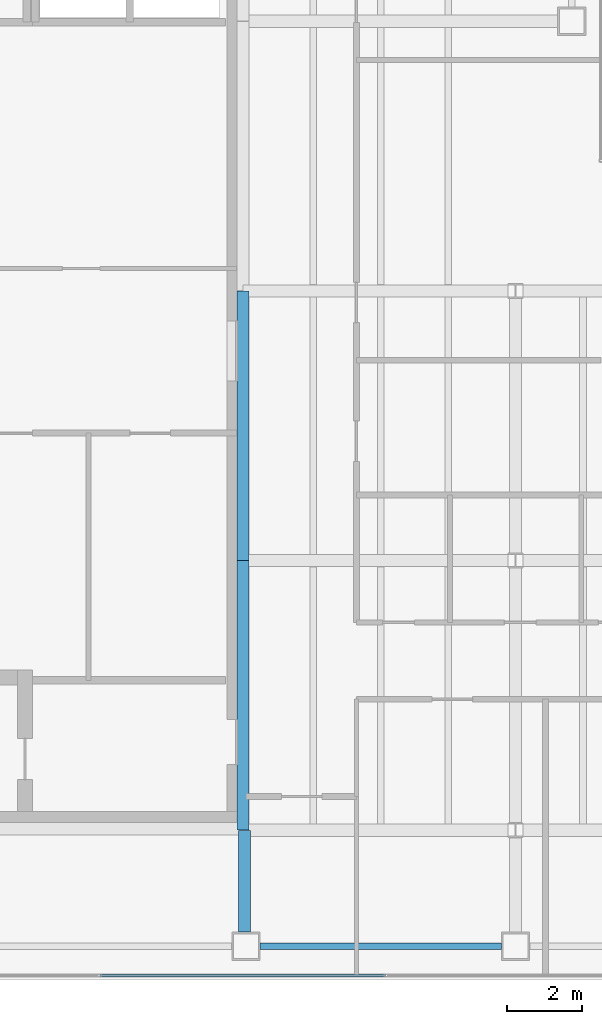
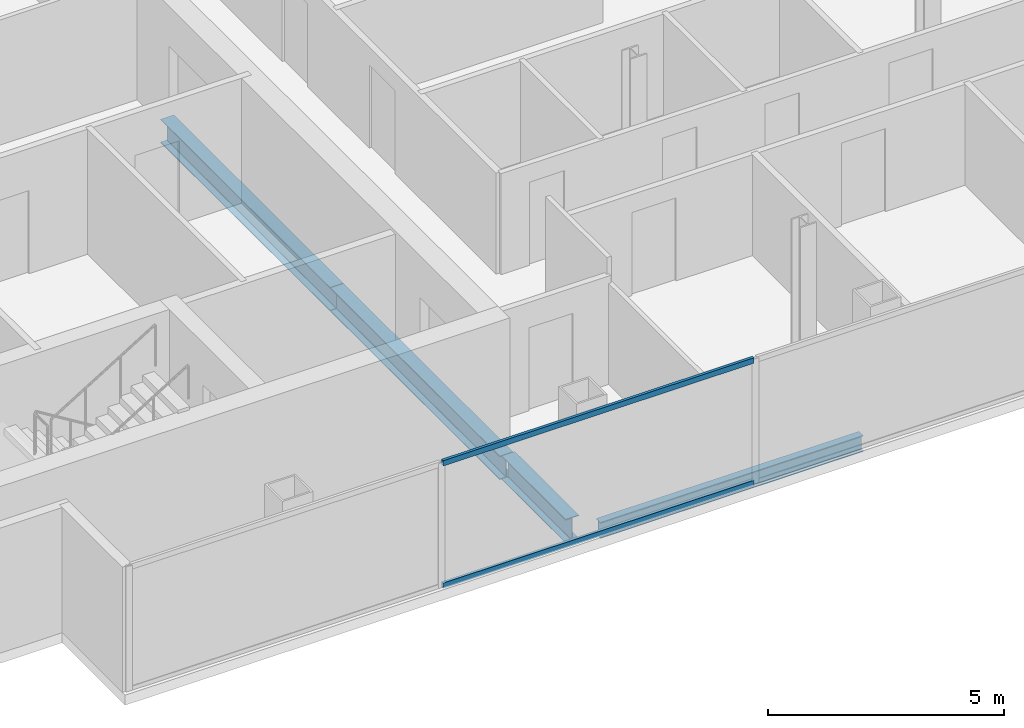
# One storey, part 3 of 23: 4 beams, 2 members, 1 element without a shape of its own.
"""IFC4 building model written with IfcOpenShell, lengths in metres."""

from ifc_helpers import new_model, si_unit, direction, frame, origin, origin_2d, place, context, subcontext, project, spatial, hollow_rectangle, i_section, extrude, material, material_profile, profile_set, type_object, element, aggregate, save


model = new_model("IFC4")

# Units and contexts
model_context = context("Model", 3, precision=1e-05, world=origin(), true_north=direction((0.0, 1.0)))
body_context = subcontext(model_context, "Body", "Model", "MODEL_VIEW")
ifc_project = project(units=[si_unit("LENGTHUNIT", "METRE"), si_unit("AREAUNIT", "SQUARE_METRE"), si_unit("VOLUMEUNIT", "CUBIC_METRE"), si_unit("PLANEANGLEUNIT", "RADIAN"), si_unit("MASSUNIT", "GRAM", prefix="KILO")], contexts=[model_context])

# Site, building, storey
site_placement = place(None, origin())
site = spatial("IfcSite", under=ifc_project, at=site_placement, CompositionType="ELEMENT")
building_placement = place(site_placement, origin())
building = spatial("IfcBuilding", under=site, at=building_placement, Name="Cobrela Telecom Tower", CompositionType="ELEMENT")
storey_placement = place(building_placement, frame((0.0, 0.0, 222.25)))
storey = spatial("IfcBuildingStorey", under=building, at=storey_placement, Name="L57", CompositionType="ELEMENT", Elevation=222.25)

# Beams
ifc_material_1 = material(Name="Steel ASTM A992 Grade 50", Category="steel")
ifc_material_profile_1 = material_profile(ifc_material_1, i_section(OverallWidth=0.324951171875, OverallDepth=0.612060546875, WebThickness=0.0126953125, FlangeThickness=0.01904296875, FilletRadius=0.014892578125, at=origin_2d()), Name="W24X104")
ifc_profile_set_1 = profile_set([ifc_material_profile_1], Name="Steel ASTM A992 Grade 50")
beam_type_1 = type_object("IfcBeamType", Name="BM-GIRD-07", PredefinedType="USERDEFINED", material=ifc_profile_set_1)
beam_1_placement = place(storey_placement, frame((14.360107421875, 4.47998046875, -0.56591796875), z_axis=(0.0, 1.0, 0.0), x_axis=(-1.0, 0.0, 0.0)))
element("IfcBeam", 1, at=beam_1_placement, inside=storey, type_object=beam_type_1, Name="L57 Primary Girder Y26", ObjectType="GIRDER", PredefinedType="USERDEFINED", context=body_context, shape_type="SweptSolid", body=[
    extrude(i_section(OverallWidth=0.324951171875, OverallDepth=0.612060546875, WebThickness=0.0126953125, FlangeThickness=0.01904296875, FilletRadius=0.014892578125, at=origin_2d()), origin(), (0.0, 0.0, 1.0), 2.715087890625),
])
for number, where, z_axis, x_axis, name in (
    (2, (14.320068359375, 7.205078125, -0.56591796875), (0.0, 1.0, 0.0), (-1.0, 0.0, 0.0), "L57 Primary Girder Y27"),
    (3, (14.320068359375, 14.405029296875, -0.56591796875), (0.0, 1.0, 0.0), (-1.0, 0.0, 0.0), "L57 Primary Girder Y28"),
):
    element("IfcBeam", number, at=place(storey_placement, frame(where, z_axis=z_axis, x_axis=x_axis)), inside=storey, type_object=beam_type_1, Name=name, ObjectType="GIRDER", PredefinedType="USERDEFINED", context=body_context, shape_type="SweptSolid", body=[
        extrude(i_section(OverallWidth=0.324951171875, OverallDepth=0.612060546875, WebThickness=0.0126953125, FlangeThickness=0.01904296875, FilletRadius=0.014892578125, at=origin_2d()), origin(), (0.0, 0.0, 1.0), 7.18994140625),
    ])
ifc_material_profile_2 = material_profile(ifc_material_1, i_section(OverallWidth=0.179931640625, OverallDepth=0.4169921875, WebThickness=0.010986328125, FlangeThickness=0.01806640625, FilletRadius=0.011962890625, at=origin_2d()), Name="W16X57")
ifc_profile_set_2 = profile_set([ifc_material_profile_2], Name="Steel ASTM A992 Grade 50")
beam_type_2 = type_object("IfcBeamType", Name="BM-SPAND-06", PredefinedType="SPANDREL", material=ifc_profile_set_2)
beam_2_placement = place(storey_placement, frame((14.780029296875, 4.10009765625, -0.468505859375), z_axis=(1.0, 0.0, 0.0), x_axis=(0.0, 1.0, 0.0)))
element("IfcBeam", 4, at=beam_2_placement, inside=storey, type_object=beam_type_2, Name="L57 Perimeter Spandrel X02", PredefinedType="SPANDREL", context=body_context, shape_type="SweptSolid", body=[
    extrude(i_section(OverallWidth=0.179931640625, OverallDepth=0.4169921875, WebThickness=0.010986328125, FlangeThickness=0.01806640625, FilletRadius=0.011962890625, at=origin_2d()), origin(), (0.0, 0.0, 1.0), 6.43994140625),
])

# Curtain wall, members
ifc_material_2 = material(Name="Anodized Bronze Aluminium 6063-T6", Category="aluminium")
curtain_wall_type = type_object("IfcCurtainWallType", Name="CW-SYS-OFF-LO", PredefinedType="USERDEFINED", material=ifc_material_2)
curtain_wall_placement = place(storey_placement, origin())
curtain_wall = element("IfcCurtainWall", 5, at=curtain_wall_placement, inside=storey, type_object=curtain_wall_type, Name="L57 Unitised Bronze Curtain Wall 17", ObjectType="UNITISED CURTAIN WALL", PredefinedType="USERDEFINED")
ifc_material_profile_3 = material_profile(ifc_material_2, hollow_rectangle(XDim=0.070068359375, YDim=0.139892578125, WallThickness=0.00390625, at=origin_2d()), Name="ALU 70x140x4")
ifc_profile_set_3 = profile_set([ifc_material_profile_3], Name="Anodized Bronze Aluminium 6063-T6")
member_type = type_object("IfcMemberType", Name="CW-SYS-OFF-LO-TRN", PredefinedType="USERDEFINED", material=ifc_profile_set_3)
member_1_placement = place(storey_placement, frame((18.123046875, 3.320068359375, 0.034912109375), z_axis=(-1.0, 0.0, 0.0), x_axis=(0.0, -1.0, 0.0)))
member_1 = element("IfcMember", 6, at=member_1_placement, type_object=member_type, Name="CW-OFF-LO transom 4.1", ObjectType="TRANSOM", PredefinedType="USERDEFINED", context=body_context, shape_type="SweptSolid", body=[
    extrude(hollow_rectangle(XDim=0.070068359375, YDim=0.139892578125, WallThickness=0.00390625, at=origin_2d()), origin(), (0.0, 0.0, 1.0), 7.614013671875),
])
member_2_placement = place(storey_placement, frame((18.123046875, 3.320068359375, 3.205078125), z_axis=(-1.0, 0.0, 0.0), x_axis=(0.0, -1.0, 0.0)))
member_2 = element("IfcMember", 7, at=member_2_placement, type_object=member_type, Name="CW-OFF-LO transom 4.2", ObjectType="TRANSOM", PredefinedType="USERDEFINED", context=body_context, shape_type="SweptSolid", body=[
    extrude(hollow_rectangle(XDim=0.070068359375, YDim=0.139892578125, WallThickness=0.00390625, at=origin_2d()), origin(), (0.0, 0.0, 1.0), 7.614013671875),
])
aggregate(curtain_wall, [member_1, member_2])

save(model, "model.ifc")
